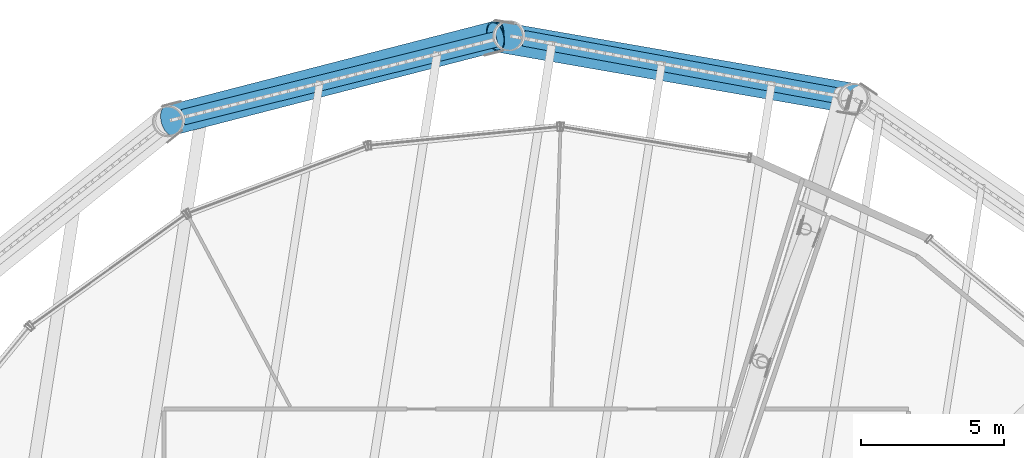
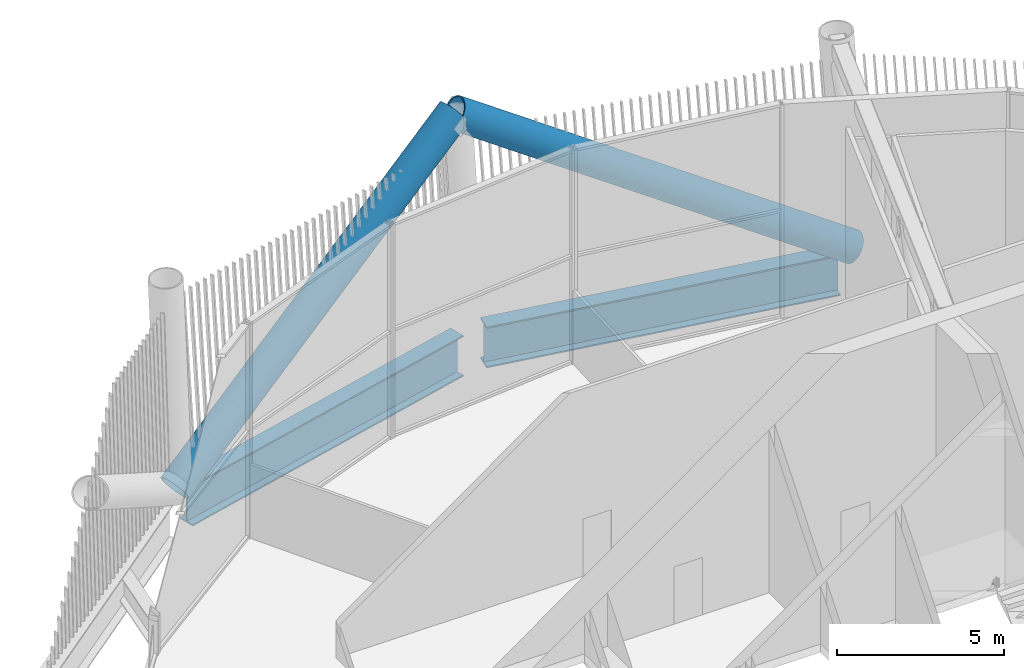
# One storey, part 26 of 55: 2 beams, 2 members.
"""IFC4 building model written with IfcOpenShell, lengths in metres."""

from ifc_helpers import new_model, si_unit, direction, frame, origin, origin_2d, place, context, subcontext, project, spatial, hollow_circle, i_section, extrude, material, material_profile, profile_set, type_object, element, save


model = new_model("IFC4")

# Units and contexts
model_context = context("Model", 3, precision=1e-05, world=origin(), true_north=direction((0.0, 1.0)))
body_context = subcontext(model_context, "Body", "Model", "MODEL_VIEW")
ifc_project = project(units=[si_unit("LENGTHUNIT", "METRE"), si_unit("AREAUNIT", "SQUARE_METRE"), si_unit("VOLUMEUNIT", "CUBIC_METRE"), si_unit("PLANEANGLEUNIT", "RADIAN"), si_unit("MASSUNIT", "GRAM", prefix="KILO")], contexts=[model_context])

# Site, building, storey
site_placement = place(None, origin())
site = spatial("IfcSite", under=ifc_project, at=site_placement, CompositionType="ELEMENT")
building_placement = place(site_placement, origin())
building = spatial("IfcBuilding", under=site, at=building_placement, Name="Tarsis Ring Headquarters", CompositionType="ELEMENT")
storey_placement = place(building_placement, frame((0.0, 0.0, 247.199951171875)))
storey = spatial("IfcBuildingStorey", under=building, at=storey_placement, Name="L58", CompositionType="ELEMENT", Elevation=247.199951171875)

# Members
ifc_material = material(Name="Structural steel S355", Category="steel")
ifc_material_profile_1 = material_profile(ifc_material, hollow_circle(Radius=0.533447265625, WallThickness=0.044921875, at=origin_2d()), Name="CHS 1067x45")
ifc_profile_set_1 = profile_set([ifc_material_profile_1], Name="Structural steel S355")
member_type = type_object("IfcMemberType", Name="TD Belt truss diagonal CHS 1067x45", PredefinedType="BRACE", material=ifc_profile_set_1)
member_1_placement = place(storey_placement, frame((11.134033203125, 26.830078125, 0.0), z_axis=(-0.83442866901, 0.145118029393, 0.531666769583), x_axis=(-0.171341174751, -0.98521175482, 0.0)))
element("IfcMember", 1, at=member_1_placement, inside=storey, type_object=member_type, Name="Belt truss diagonal TD5", PredefinedType="BRACE", context=body_context, shape_type="SweptSolid", body=[
    extrude(hollow_circle(Radius=0.533447265625, WallThickness=0.044921875, at=origin_2d()), origin(), (0.0, 0.0, 1.0), 15.047119140625),
])
member_2_placement = place(storey_placement, frame((-12.80126953125, 26.07568359375, 0.0), z_axis=(0.800415122407, 0.206650695824, 0.562699850487), x_axis=(-0.249982308176, 0.968250404389, 0.0)))
element("IfcMember", 2, at=member_2_placement, inside=storey, type_object=member_type, Name="Belt truss diagonal TD5", PredefinedType="BRACE", context=body_context, shape_type="SweptSolid", body=[
    extrude(hollow_circle(Radius=0.533447265625, WallThickness=0.044921875, at=origin_2d()), origin(), (0.0, 0.0, 1.0), 14.21728515625),
])

# Beams
ifc_material_profile_2 = material_profile(ifc_material, i_section(OverallWidth=0.550048828125, OverallDepth=1.5, WebThickness=0.030029296875, FlangeThickness=0.050048828125, at=origin_2d()), Name="PG 1500x550x30x50")
ifc_profile_set_2 = profile_set([ifc_material_profile_2], Name="Structural steel S355")
beam_type = type_object("IfcBeamType", Name="XG Ring girder PG 1500x550x30x50", PredefinedType="BEAM", material=ifc_profile_set_2)
beam_1_placement = place(storey_placement, frame((10.66162109375, 26.91650390625, -0.75), z_axis=(-0.983677640129, 0.179939712989, 0.0), x_axis=(-0.179939712989, -0.983677640129, 0.0)))
element("IfcBeam", 3, at=beam_1_placement, inside=storey, type_object=beam_type, Name="Ring girder XG6", PredefinedType="BEAM", context=body_context, shape_type="SweptSolid", body=[
    extrude(i_section(OverallWidth=0.550048828125, OverallDepth=1.5, WebThickness=0.030029296875, FlangeThickness=0.050048828125, at=origin_2d()), origin(), (0.0, 0.0, 1.0), 11.28857421875),
])
beam_2_placement = place(storey_placement, frame((-1.380859375, 28.918212890625, -0.75), z_axis=(-0.970393865384, -0.241527940464, 0.0), x_axis=(0.241527940464, -0.970393865384, 0.0)))
element("IfcBeam", 4, at=beam_2_placement, inside=storey, type_object=beam_type, Name="Ring girder XG6", PredefinedType="BEAM", context=body_context, shape_type="SweptSolid", body=[
    extrude(i_section(OverallWidth=0.550048828125, OverallDepth=1.5, WebThickness=0.030029296875, FlangeThickness=0.050048828125, at=origin_2d()), origin(), (0.0, 0.0, 1.0), 11.288818359375),
])

save(model, "model.ifc")
